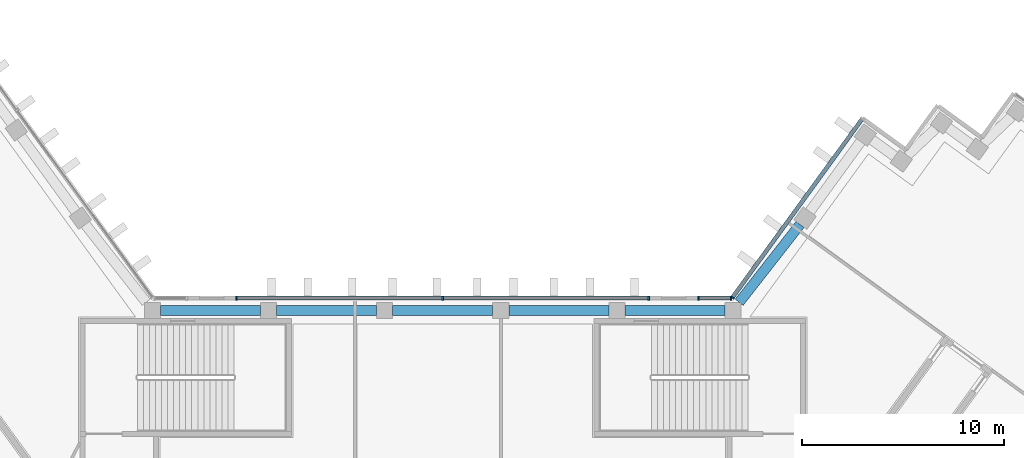
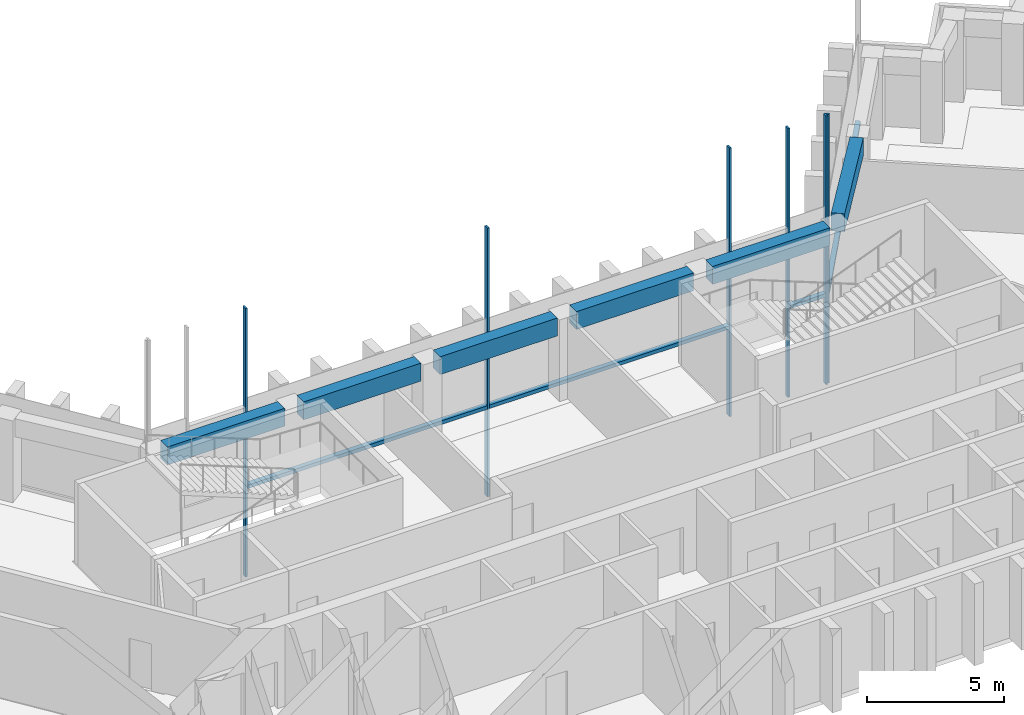
# One storey, part 3 of 12: 10 members, 6 beams, 3 elements without a shape of their own.
"""IFC4 building model written with IfcOpenShell, lengths in metres."""

from ifc_helpers import new_model, si_unit, direction, frame, origin, origin_2d, place, context, subcontext, project, spatial, rectangle, extrude, material, material_profile, profile_set, type_object, element, aggregate, save


model = new_model("IFC4")

# Units and contexts
model_context = context("Model", 3, precision=1e-05, world=origin(), true_north=direction((0.0, 1.0)))
body_context = subcontext(model_context, "Body", "Model", "MODEL_VIEW")
ifc_project = project(units=[si_unit("LENGTHUNIT", "METRE"), si_unit("AREAUNIT", "SQUARE_METRE"), si_unit("VOLUMEUNIT", "CUBIC_METRE"), si_unit("PLANEANGLEUNIT", "RADIAN"), si_unit("MASSUNIT", "GRAM", prefix="KILO")], contexts=[model_context])

# Site, building, storey
site_placement = place(None, origin())
site = spatial("IfcSite", under=ifc_project, at=site_placement, CompositionType="ELEMENT")
building_placement = place(site_placement, origin())
building = spatial("IfcBuilding", under=site, at=building_placement, Name="Quipu Civic Tower", CompositionType="ELEMENT")
storey_placement = place(building_placement, frame((0.0, 0.0, 234.0)))
storey = spatial("IfcBuildingStorey", under=building, at=storey_placement, Name="L55", CompositionType="ELEMENT", Elevation=234.0)

# Curtain wall, member
ifc_material_1 = material(Name="Insulated glass unit", Category="glass")
curtain_wall_type = type_object("IfcCurtainWallType", Name="Office curtain wall CW1", PredefinedType="NOTDEFINED", material=ifc_material_1)
curtain_wall_1_placement = place(storey_placement, origin())
curtain_wall_1 = element("IfcCurtainWall", 1, at=curtain_wall_1_placement, inside=storey, type_object=curtain_wall_type, Name="Office curtain wall CW1 L54 run 26", PredefinedType="NOTDEFINED")
ifc_material_2 = material(Name="Anodised aluminium", Category="aluminium")
ifc_material_profile_1 = material_profile(ifc_material_2, rectangle(XDim=0.199951171875, YDim=0.080078125, at=origin_2d()), Name="RECT 200x80")
ifc_profile_set_1 = profile_set([ifc_material_profile_1], Name="Anodised aluminium")
member_type_1 = type_object("IfcMemberType", Name="Mullion CW1", PredefinedType="MULLION", material=ifc_profile_set_1)
member_1_placement = place(storey_placement, frame((14.36767578125, 11.13232421875, -3.919921875), z_axis=(0.0, 0.0, 1.0), x_axis=(0.809015163947, -0.587787771652, 0.0)))
member_1 = element("IfcMember", 2, at=member_1_placement, type_object=member_type_1, Name="CW1 mullion 2", PredefinedType="MULLION", context=body_context, shape_type="SweptSolid", body=[
    extrude(rectangle(XDim=0.199951171875, YDim=0.080078125, at=origin_2d()), origin(), (0.0, 0.0, 1.0), 12.0),
])

# Curtain wall, members
curtain_wall_2_placement = place(storey_placement, origin())
curtain_wall_2 = element("IfcCurtainWall", 3, at=curtain_wall_2_placement, inside=storey, type_object=curtain_wall_type, Name="Office curtain wall CW1 L54 run 27", PredefinedType="NOTDEFINED")
member_2_placement = place(storey_placement, frame((14.30419921875, 11.10009765625, -3.919921875), z_axis=(0.0, 0.0, 1.0), x_axis=(0.0, -1.0, 0.0)))
member_2 = element("IfcMember", 4, at=member_2_placement, type_object=member_type_1, Name="CW1 mullion 1", PredefinedType="MULLION", context=body_context, shape_type="SweptSolid", body=[
    extrude(rectangle(XDim=0.199951171875, YDim=0.080078125, at=origin_2d()), origin(), (0.0, 0.0, 1.0), 12.0),
])
member_3_placement = place(storey_placement, frame((12.695068359375, 11.10009765625, -3.919921875), z_axis=(0.0, 0.0, 1.0), x_axis=(0.0, -1.0, 0.0)))
member_3 = element("IfcMember", 5, at=member_3_placement, type_object=member_type_1, Name="CW1 mullion 2", PredefinedType="MULLION", context=body_context, shape_type="SweptSolid", body=[
    extrude(rectangle(XDim=0.199951171875, YDim=0.080078125, at=origin_2d()), origin(), (0.0, 0.0, 1.0), 12.0),
])

curtain_wall_3_placement = place(storey_placement, origin())
curtain_wall_3 = element("IfcCurtainWall", 6, at=curtain_wall_3_placement, inside=storey, type_object=curtain_wall_type, Name="Office curtain wall CW1 L54 run 29", PredefinedType="NOTDEFINED")
member_4_placement = place(storey_placement, frame((10.223388671875, 11.10009765625, -3.919921875), z_axis=(0.0, 0.0, 1.0), x_axis=(0.0, -1.0, 0.0)))
member_4 = element("IfcMember", 7, at=member_4_placement, type_object=member_type_1, Name="CW1 mullion 1", PredefinedType="MULLION", context=body_context, shape_type="SweptSolid", body=[
    extrude(rectangle(XDim=0.199951171875, YDim=0.080078125, at=origin_2d()), origin(), (0.0, 0.0, 1.0), 12.0),
])
member_5_placement = place(storey_placement, frame((0.0, 11.10009765625, -3.919921875), z_axis=(0.0, 0.0, 1.0), x_axis=(0.0, -1.0, 0.0)))
member_5 = element("IfcMember", 8, at=member_5_placement, type_object=member_type_1, Name="CW1 mullion 2", PredefinedType="MULLION", context=body_context, shape_type="SweptSolid", body=[
    extrude(rectangle(XDim=0.199951171875, YDim=0.080078125, at=origin_2d()), origin(), (0.0, 0.0, 1.0), 12.0),
])
member_6_placement = place(storey_placement, frame((-10.223388671875, 11.10009765625, -3.919921875), z_axis=(0.0, 0.0, 1.0), x_axis=(0.0, -1.0, 0.0)))
member_6 = element("IfcMember", 9, at=member_6_placement, type_object=member_type_1, Name="CW1 mullion 3", PredefinedType="MULLION", context=body_context, shape_type="SweptSolid", body=[
    extrude(rectangle(XDim=0.199951171875, YDim=0.080078125, at=origin_2d()), origin(), (0.0, 0.0, 1.0), 12.0),
])

# Beams
ifc_material_3 = material(Name="Concrete C50/60", Category="concrete")
ifc_material_profile_2 = material_profile(ifc_material_3, rectangle(XDim=0.5, YDim=0.800048828125, at=origin_2d()), Name="RC500x800")
ifc_profile_set_2 = profile_set([ifc_material_profile_2], Name="Concrete C50/60")
beam_type = type_object("IfcBeamType", Name="Spandrel beam RC 500x800 C50/60", PredefinedType="SPANDREL", material=ifc_profile_set_2)
beam_placement = place(storey_placement, frame((17.72705078125, 14.759765625, 3.25), z_axis=(-0.616090612932, -0.787675286306, 0.0), x_axis=(0.787675286306, -0.616090612932, 0.0)))
element("IfcBeam", 10, at=beam_placement, inside=storey, type_object=beam_type, Name="Spandrel beam L55 E-IN-01 to J-Ei.0", PredefinedType="SPANDREL", context=body_context, shape_type="SweptSolid", body=[
    extrude(rectangle(XDim=0.5, YDim=0.800048828125, at=origin_2d()), origin(), (0.0, 0.0, 1.0), 4.900390625),
])
for number, where, z_axis, x_axis, name in (
    (11, (13.9951171875, 10.5, 3.25), (-1.0, 0.0, 0.0), (0.0, -1.0, 0.0), "Spandrel beam L55 J-Ei.0 to FRONT-01"),
    (12, (8.237060546875, 10.5, 3.25), (-1.0, 0.0, 0.0), (0.0, -1.0, 0.0), "Spandrel beam L55 FRONT-01 to FRONT-02"),
    (13, (2.47900390625, 10.5, 3.25), (-1.0, 0.0, 0.0), (0.0, -1.0, 0.0), "Spandrel beam L55 FRONT-02 to FRONT-03"),
    (14, (-3.279052734375, 10.5, 3.25), (-1.0, 0.0, 0.0), (0.0, -1.0, 0.0), "Spandrel beam L55 FRONT-03 to FRONT-04"),
    (15, (-9.037109375, 10.5, 3.25), (-1.0, 0.0, 0.0), (0.0, -1.0, 0.0), "Spandrel beam L55 FRONT-04 to J-Wi.0"),
):
    element("IfcBeam", number, at=place(storey_placement, frame(where, z_axis=z_axis, x_axis=x_axis)), inside=storey, type_object=beam_type, Name=name, PredefinedType="SPANDREL", context=body_context, shape_type="SweptSolid", body=[
        extrude(rectangle(XDim=0.5, YDim=0.800048828125, at=origin_2d()), origin(), (0.0, 0.0, 1.0), 4.9580078125),
    ])

# Member
ifc_material_4 = material(Name="Anodised aluminium", Category="aluminium")
ifc_material_profile_3 = material_profile(ifc_material_4, rectangle(XDim=0.199951171875, YDim=0.159912109375, at=origin_2d()), Name="RECT 200x160")
ifc_profile_set_3 = profile_set([ifc_material_profile_3], Name="Anodised aluminium")
member_type_2 = type_object("IfcMemberType", Name="Transom CW1", PredefinedType="USERDEFINED", material=ifc_profile_set_3)
member_7_placement = place(storey_placement, frame((20.788818359375, 19.97021484375, 0.080078125), z_axis=(-0.587796859727, -0.809008560953, 0.0), x_axis=(0.809008560953, -0.587796859727, 0.0)))
member_7 = element("IfcMember", 16, at=member_7_placement, type_object=member_type_2, Name="CW1 transom 1.2", ObjectType="TRANSOM", PredefinedType="USERDEFINED", context=body_context, shape_type="SweptSolid", body=[
    extrude(rectangle(XDim=0.199951171875, YDim=0.159912109375, at=origin_2d()), origin(), (0.0, 0.0, 1.0), 10.88427734375),
])

aggregate(curtain_wall_1, [member_1, member_7])

member_8_placement = place(storey_placement, frame((14.26416015625, 11.10009765625, 0.080078125), z_axis=(-1.0, 0.0, 0.0), x_axis=(0.0, -1.0, 0.0)))
member_8 = element("IfcMember", 17, at=member_8_placement, type_object=member_type_2, Name="CW1 transom 1.2", ObjectType="TRANSOM", PredefinedType="USERDEFINED", context=body_context, shape_type="SweptSolid", body=[
    extrude(rectangle(XDim=0.199951171875, YDim=0.159912109375, at=origin_2d()), origin(), (0.0, 0.0, 1.0), 1.529052734375),
])

aggregate(curtain_wall_2, [member_2, member_3, member_8])

member_9_placement = place(storey_placement, frame((10.18359375, 11.10009765625, 0.080078125), z_axis=(-1.0, 0.0, 0.0), x_axis=(0.0, -1.0, 0.0)))
member_9 = element("IfcMember", 18, at=member_9_placement, type_object=member_type_2, Name="CW1 transom 1.2", ObjectType="TRANSOM", PredefinedType="USERDEFINED", context=body_context, shape_type="SweptSolid", body=[
    extrude(rectangle(XDim=0.199951171875, YDim=0.159912109375, at=origin_2d()), origin(), (0.0, 0.0, 1.0), 10.1435546875),
])

member_10_placement = place(storey_placement, frame((-0.0400390625, 11.10009765625, 0.080078125), z_axis=(-1.0, 0.0, 0.0), x_axis=(0.0, -1.0, 0.0)))
member_10 = element("IfcMember", 19, at=member_10_placement, type_object=member_type_2, Name="CW1 transom 2.2", ObjectType="TRANSOM", PredefinedType="USERDEFINED", context=body_context, shape_type="SweptSolid", body=[
    extrude(rectangle(XDim=0.199951171875, YDim=0.159912109375, at=origin_2d()), origin(), (0.0, 0.0, 1.0), 10.1435546875),
])

aggregate(curtain_wall_3, [member_4, member_5, member_6, member_9, member_10])

save(model, "model.ifc")
